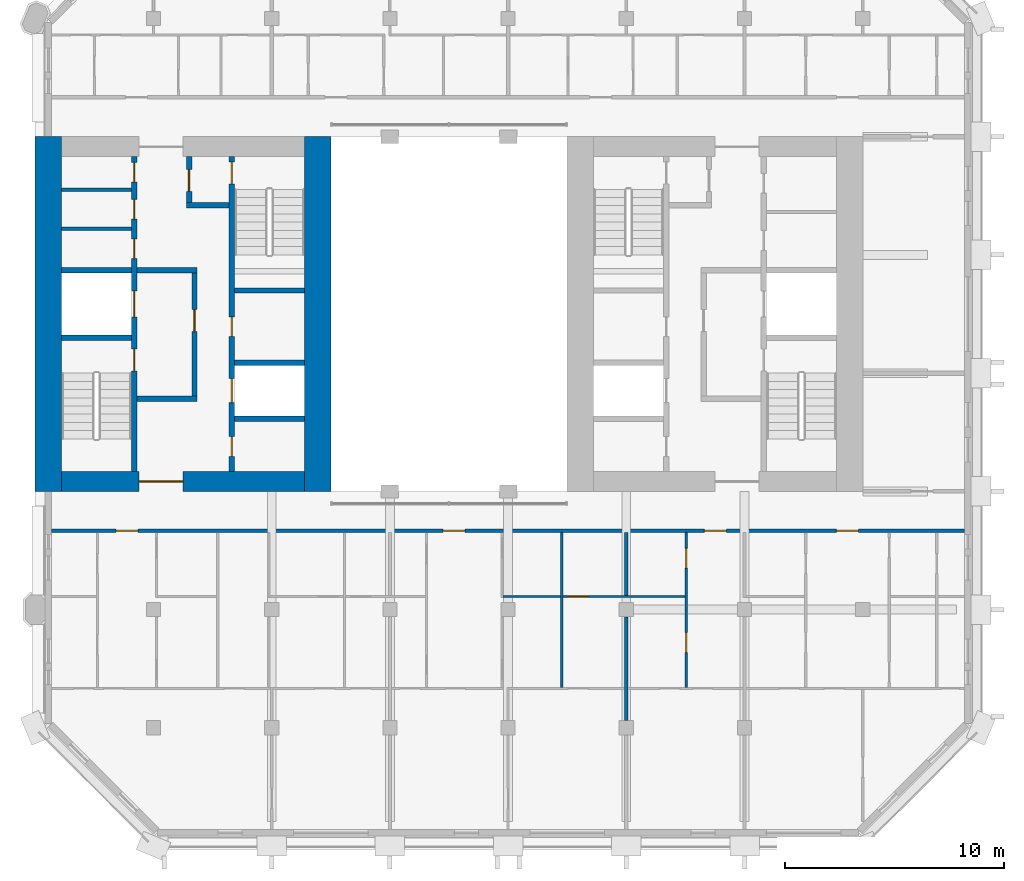
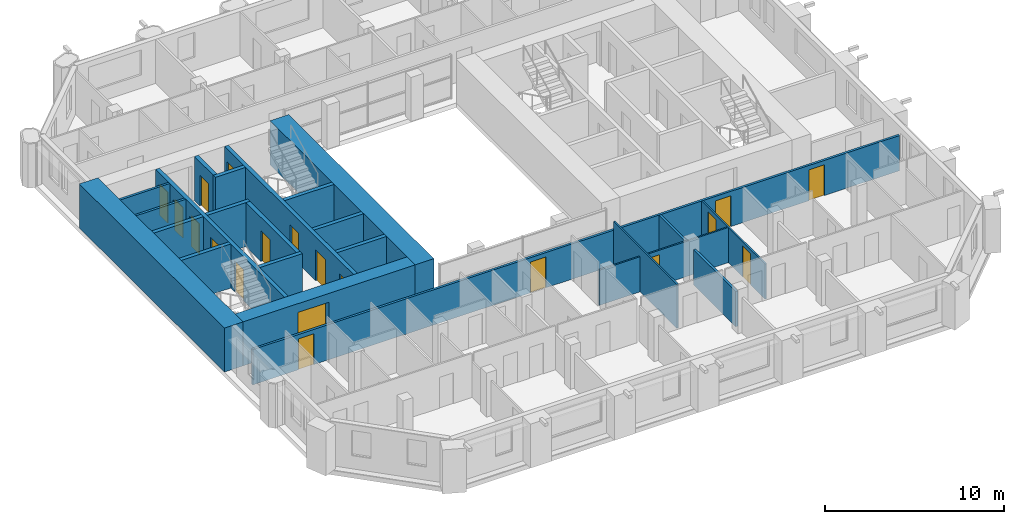
# One storey, part 7 of 14: 24 walls, 19 doors, 19 openings.
"""IFC4 building model written with IfcOpenShell, lengths in metres."""

import ifcopenshell
import ifcopenshell.guid

model = None  # the IFC model being written
_history = None  # IfcOwnerHistory: only IFC2X3 demands one
_inside = {}  # id of a spatial element -> (the spatial element, [elements in it])
_under = {}  # id of a project, library or spatial element -> (it, [spatial elements below it])
_declared = {}  # id of a project -> (the project, [libraries it declares])
_typed = {}  # id of a type object -> (the type object, [elements of that type])
_made_of = {}  # id of a material, layer set ... -> (it, [elements and type objects made of it])


def new_model(schema):
    """Start an empty IFC model of exactly this schema.

    Asked for "IFC4X3", IfcOpenShell would pick the latest addendum, in which some entities
    have other attributes; the version numbers below select the first issue.
    IFC2X3 requires an IfcOwnerHistory on every rooted entity: one is made here for all.
    """
    global model, _history
    if schema == "IFC4X3":
        model = ifcopenshell.file(schema_version=(4, 3, 0, 0))
    else:
        model = ifcopenshell.file(schema=schema)
    _inside.clear()
    _under.clear()
    _declared.clear()
    _typed.clear()
    _made_of.clear()
    _history = None
    if model.schema == "IFC2X3":
        org = make("IfcOrganization", Name="unknown")
        user = make(
            "IfcPersonAndOrganization",
            ThePerson=make("IfcPerson", FamilyName="unknown"),
            TheOrganization=org,
        )
        app = make(
            "IfcApplication",
            ApplicationDeveloper=org,
            Version="unknown",
            ApplicationFullName="unknown",
            ApplicationIdentifier="unknown",
        )
        _history = make(
            "IfcOwnerHistory",
            OwningUser=user,
            OwningApplication=app,
            ChangeAction="ADDED",
            CreationDate=0,
        )
    return model


def make(cls, **values):
    """One entity of the class cls with the attributes given. An attribute that is None is left unset."""
    return model.create_entity(
        cls, **{name: value for name, value in values.items() if value is not None}
    )


def rooted(cls, **values):
    """An entity with a GlobalId (a new one), such as an element, a storey or a relation."""
    return make(cls, GlobalId=ifcopenshell.guid.new(), OwnerHistory=_history, **values)


def si_unit(unit_type, name, prefix=None):
    """IfcSIUnit, for example si_unit("LENGTHUNIT", "METRE", prefix="MILLI")."""
    return make("IfcSIUnit", UnitType=unit_type, Prefix=prefix, Name=name)


def assignment(units):
    """IfcUnitAssignment: the units of a project."""
    return None if units is None else make("IfcUnitAssignment", Units=units)


def point(xyz):
    """IfcCartesianPoint."""
    return None if xyz is None else make("IfcCartesianPoint", Coordinates=xyz)


def direction(xyz):
    """IfcDirection."""
    return None if xyz is None else make("IfcDirection", DirectionRatios=xyz)


def frame(location, z_axis=None, x_axis=None):
    """IfcAxis2Placement3D, a coordinate frame: its origin and axes. An axis left out is left unset."""
    return make(
        "IfcAxis2Placement3D",
        Location=point(location),
        Axis=direction(z_axis),
        RefDirection=direction(x_axis),
    )


def frame_2d(location, x_axis=None):
    """IfcAxis2Placement2D, a coordinate frame in the plane: its origin and x axis."""
    return make(
        "IfcAxis2Placement2D", Location=point(location), RefDirection=direction(x_axis)
    )


def origin():
    """The frame at (0, 0, 0) with its axes left unset."""
    return frame((0.0, 0.0, 0.0))


def place(relative_to, where):
    """IfcLocalPlacement: puts the frame where relative to a parent placement (None: the world)."""
    return make(
        "IfcLocalPlacement", PlacementRelTo=relative_to, RelativePlacement=where
    )


def context(
    kind, dimensions, precision=None, world=None, true_north=None, identifier=None
):
    """IfcGeometricRepresentationContext, for example the 3D "Model" context."""
    return make(
        "IfcGeometricRepresentationContext",
        ContextIdentifier=identifier,
        ContextType=kind,
        CoordinateSpaceDimension=dimensions,
        Precision=precision,
        WorldCoordinateSystem=world,
        TrueNorth=true_north,
    )


def subcontext(parent, identifier, kind, view, scale=None):
    """IfcGeometricRepresentationSubContext, for example "Body" below "Model"."""
    return make(
        "IfcGeometricRepresentationSubContext",
        ContextIdentifier=identifier,
        ContextType=kind,
        ParentContext=parent,
        TargetScale=scale,
        TargetView=view,
    )


def project(units=None, contexts=None):
    """IfcProject with its units and contexts."""
    return rooted(
        "IfcProject",
        Name="project",
        RepresentationContexts=contexts,
        UnitsInContext=assignment(units),
    )


def spatial(cls, under=None, at=None, **own):
    """A site, building, storey or space (cls), placed at a placement, below another one or the project."""
    s = rooted(cls, ObjectPlacement=at, **own)
    if under is not None:
        _under.setdefault(under.id(), (under, []))[1].append(s)
    return s


def profile(cls, at=None, kind="AREA", **sizes):
    """A parametric profile (cls). Its sizes go by their IFC names, for example OverallWidth=200.0."""
    return make(cls, ProfileType=kind, Position=at, **sizes)


def rectangle(**sizes):
    """IfcRectangleProfileDef."""
    return profile("IfcRectangleProfileDef", **sizes)


def extrude(swept, where, along, depth):
    """IfcExtrudedAreaSolid: the profile swept, set in the frame where, extruded along a direction by depth."""
    return make(
        "IfcExtrudedAreaSolid",
        SweptArea=swept,
        Position=where,
        ExtrudedDirection=direction(along),
        Depth=depth,
    )


def shape(context_of_items, identifier, shape_type, items):
    """IfcShapeRepresentation: the items that make up one representation, for example the "Body"."""
    return make(
        "IfcShapeRepresentation",
        ContextOfItems=context_of_items,
        RepresentationIdentifier=identifier,
        RepresentationType=shape_type,
        Items=items,
    )


def material(Name=None, Category=None):
    """IfcMaterial."""
    return make("IfcMaterial", Name=Name, Category=Category)


def layer(
    of_material, thickness, ventilated=None, Name=None, Category=None, Priority=None
):
    """IfcMaterialLayer: one layer of a wall or slab, of a material (None: an air gap)."""
    return make(
        "IfcMaterialLayer",
        Material=of_material,
        LayerThickness=thickness,
        IsVentilated=ventilated,
        Name=Name,
        Category=Category,
        Priority=Priority,
    )


def layer_set(layers, Name=None):
    """IfcMaterialLayerSet."""
    return make("IfcMaterialLayerSet", MaterialLayers=layers, LayerSetName=Name)


def made_of(thing, what):
    """Note that an element or type object is made of a material, layer set ...; save() writes the relation."""
    if what is not None:
        _made_of.setdefault(what.id(), (what, []))[1].append(thing)
    return thing


def type_object(cls, material=None, **own):
    """A type object (cls), such as IfcWallType, which elements share."""
    return made_of(rooted(cls, **own), material)


def element(
    cls,
    number,
    at=None,
    inside=None,
    cuts=None,
    type_object=None,
    material=None,
    context=None,
    identifier="Body",
    shape_type=None,
    held_by="IfcProductDefinitionShape",
    body=None,
    shapes=None,
    **own,
):
    """One element of the class cls, such as IfcWall. Its Tag is "e" and its number.

    at: its placement. inside: the storey or other place that contains it. cuts: it is an
    opening in that element (IfcRelVoidsElement). A single representation is given by context,
    identifier, shape_type and body (its items); several are given by shapes. held_by: the class
    of the entity that holds the representations. save() writes the other relations.
    """
    e = rooted(cls, Tag="e%d" % number, ObjectPlacement=at, **own)
    if body is not None:
        shapes = [shape(context, identifier, shape_type, body)]
    if shapes is not None:
        e.Representation = make(held_by, Representations=shapes)
    if inside is not None:
        _inside.setdefault(inside.id(), (inside, []))[1].append(e)
    if cuts is not None:
        rooted(
            "IfcRelVoidsElement", RelatingBuildingElement=cuts, RelatedOpeningElement=e
        )
    if type_object is not None:
        _typed.setdefault(type_object.id(), (type_object, []))[1].append(e)
    return made_of(e, material)


def fill(opening, filler):
    """IfcRelFillsElement: the door or window that sits in an opening."""
    return rooted(
        "IfcRelFillsElement",
        RelatingOpeningElement=opening,
        RelatedBuildingElement=filler,
    )


def aggregate(whole, parts):
    """IfcRelAggregates: a whole, such as a stair, and the parts it consists of."""
    return rooted("IfcRelAggregates", RelatingObject=whole, RelatedObjects=parts)


def save(model, path):
    """Write the relations noted so far, then the file.

    IfcRelAggregates (storeys below a building ...), IfcRelContainedInSpatialStructure (elements
    in a storey), IfcRelDefinesByType, IfcRelAssociatesMaterial and IfcRelDeclares: one each for
    every whole, place, type object, material and project.
    """
    for whole, parts in _under.values():
        aggregate(whole, parts)
    for where, things in _inside.values():
        rooted(
            "IfcRelContainedInSpatialStructure",
            RelatedElements=things,
            RelatingStructure=where,
        )
    for kind, things in _typed.values():
        rooted("IfcRelDefinesByType", RelatedObjects=things, RelatingType=kind)
    for what, things in _made_of.values():
        rooted("IfcRelAssociatesMaterial", RelatedObjects=things, RelatingMaterial=what)
    for by, libraries in _declared.values():
        rooted("IfcRelDeclares", RelatingContext=by, RelatedDefinitions=libraries)
    model.write(path)


model = new_model("IFC4")

# Units and contexts
model_context = context("Model", 3, precision=1e-05, world=origin(), true_north=direction((0.0, 1.0)))
body_context = subcontext(model_context, "Body", "Model", "MODEL_VIEW")
ifc_project = project(units=[si_unit("LENGTHUNIT", "METRE"), si_unit("AREAUNIT", "SQUARE_METRE"), si_unit("VOLUMEUNIT", "CUBIC_METRE"), si_unit("PLANEANGLEUNIT", "RADIAN"), si_unit("MASSUNIT", "GRAM", prefix="KILO")], contexts=[model_context])

# Site, building, storey
site_placement = place(None, origin())
site = spatial("IfcSite", under=ifc_project, at=site_placement, CompositionType="ELEMENT")
building_placement = place(site_placement, origin())
building = spatial("IfcBuilding", under=site, at=building_placement, Name="Tabaq Tower and Sports Hall", CompositionType="ELEMENT")
storey_placement = place(building_placement, frame((0.0, 0.0, 275.199951171875)))
storey = spatial("IfcBuildingStorey", under=building, at=storey_placement, Name="L67", CompositionType="ELEMENT", Elevation=275.199951171875)

# Walls
ifc_material_1 = material(Name="Blockwork", Category="masonry")
ifc_layer_1 = layer(ifc_material_1, 0.14990234375)
ifc_layer_set_1 = layer_set([ifc_layer_1], Name="Core room partition 150 Blockwork")
wall_type_1 = type_object("IfcWallType", Name="Core room partition 150 Blockwork", PredefinedType="PARTITIONING", material=ifc_layer_set_1)
for number, where, z_axis, x_axis, name in (
    (1, (6.60009765625, 28.200927734375, 0.0), (0.0, 0.0, 1.0), (1.0, 0.0, 0.0), "Core room partition W L67"),
    (2, (6.60009765625, 29.97705078125, 0.0), (0.0, 0.0, 1.0), (1.0, 0.0, 0.0), "Core room partition W L67"),
):
    element("IfcWall", number, at=place(storey_placement, frame(where, z_axis=z_axis, x_axis=x_axis)), inside=storey, type_object=wall_type_1, Name=name, PredefinedType="PARTITIONING", context=body_context, shape_type="SweptSolid", body=[
        extrude(rectangle(XDim=3.199951171875, YDim=0.14990234375, at=frame_2d((1.60009765625, 0.0))), origin(), (0.0, 0.0, 1.0), 3.0),
    ])
ifc_material_2 = material(Name="Concrete C40/50", Category="concrete")
ifc_layer_2 = layer(ifc_material_2, 1.199951171875)
ifc_layer_set_2 = layer_set([ifc_layer_2], Name="Core wall 1200 Concrete C40/50")
wall_type_2 = type_object("IfcWallType", Name="Core wall 1200 Concrete C40/50", PredefinedType="SOLIDWALL", material=ifc_layer_set_2)
for number, where, z_axis, x_axis, name in (
    (3, (6.0, 16.199951171875, 0.0), (0.0, 0.0, 1.0), (0.0, 1.0, 0.0), "Core wall W L67"),
    (4, (18.300048828125, 32.39990234375, 0.0), (0.0, 0.0, 1.0), (0.0, -1.0, 0.0), "Core wall W L67"),
):
    element("IfcWall", number, at=place(storey_placement, frame(where, z_axis=z_axis, x_axis=x_axis)), inside=storey, type_object=wall_type_2, Name=name, PredefinedType="SOLIDWALL", context=body_context, shape_type="SweptSolid", body=[
        extrude(rectangle(XDim=16.199951171875, YDim=1.199951171875, at=frame_2d((8.10009765625, 0.0))), origin(), (0.0, 0.0, 1.0), 3.0),
    ])

# Wall, opening, door
ifc_material_3 = material(Name="Concrete C40/50", Category="concrete")
ifc_layer_3 = layer(ifc_material_3, 0.89990234375)
ifc_layer_set_3 = layer_set([ifc_layer_3], Name="Core wall 900 Concrete C40/50")
wall_type_3 = type_object("IfcWallType", Name="Core wall 900 Concrete C40/50", PredefinedType="SOLIDWALL", material=ifc_layer_set_3)
wall_1_placement = place(storey_placement, frame((17.699951171875, 16.64990234375, 0.0), z_axis=(0.0, 0.0, 1.0), x_axis=(-1.0, 0.0, 0.0)))
wall_1 = element("IfcWall", 5, at=wall_1_placement, inside=storey, type_object=wall_type_3, Name="Core wall W L67", PredefinedType="SOLIDWALL", context=body_context, shape_type="SweptSolid", body=[
    extrude(rectangle(XDim=11.099853515625, YDim=0.89990234375, at=frame_2d((5.5498046875, 0.0))), origin(), (0.0, 0.0, 1.0), 3.0),
])
opening_1_placement = place(wall_1_placement, frame((5.550048828125, 0.0, 0.0)))
opening_1 = element("IfcOpeningElement", 6, at=opening_1_placement, cuts=wall_1, Name="Opening PD-WL67-01", PredefinedType="OPENING", context=body_context, shape_type="SweptSolid", body=[
    extrude(rectangle(XDim=2.0, YDim=2.39990234375, at=frame_2d((1.0, 1.199951171875))), frame((0.0, 0.449951171875, 0.0), z_axis=(0.0, -1.0, 0.0), x_axis=(1.0, 0.0, 0.0)), (0.0, 0.0, 1.0), 0.89990234375),
])
ifc_material_4 = material(Name="Steel fire door", Category="steel")
door_type_1 = type_object("IfcDoorType", Name="Core entrance door 2000", OperationType="DOUBLE_DOOR_SINGLE_SWING", PredefinedType="DOOR", material=ifc_material_4)
door_1_placement = place(opening_1_placement, origin())
door_1 = element("IfcDoor", 7, at=door_1_placement, inside=storey, type_object=door_type_1, Name="Core entrance south W L67", OperationType="DOUBLE_DOOR_SINGLE_SWING", OverallHeight=2.39990234375, OverallWidth=2.0, PredefinedType="DOOR", context=body_context, shape_type="SweptSolid", body=[
    extrude(rectangle(XDim=2.0, YDim=2.39990234375, at=frame_2d((1.0, 1.199951171875))), frame((0.0, 0.02490234375, 0.0), z_axis=(0.0, -1.0, 0.0), x_axis=(1.0, 0.0, 0.0)), (0.0, 0.0, 1.0), 0.050048828125),
])
fill(opening_1, door_1)

# Walls
ifc_material_5 = material(Name="Gypsum board on steel studs", Category="steel")
ifc_layer_4 = layer(ifc_material_5, 0.10009765625)
ifc_layer_set_4 = layer_set([ifc_layer_4], Name="Partition 100 Gypsum board")
wall_type_4 = type_object("IfcWallType", Name="Partition 100 Gypsum board", PredefinedType="PARTITIONING", material=ifc_layer_set_4)
wall_2_placement = place(storey_placement, frame((29.39990234375, 11.39990234375, 0.0), z_axis=(0.0, 0.0, 1.0), x_axis=(-1.0, 0.0, 0.0)))
element("IfcWall", 8, at=wall_2_placement, inside=storey, type_object=wall_type_4, Name="Partition wall L67", PredefinedType="PARTITIONING", context=body_context, shape_type="SweptSolid", body=[
    extrude(rectangle(XDim=2.6279296875, YDim=0.10009765625, at=frame_2d((1.31396484375, 0.0))), origin(), (0.0, 0.0, 1.0), 2.400146484375),
])
wall_3_placement = place(storey_placement, frame((29.449951171875, 7.25, 0.0), z_axis=(0.0, 0.0, 1.0), x_axis=(0.0, 1.0, 0.0)))
element("IfcWall", 9, at=wall_3_placement, inside=storey, type_object=wall_type_4, Name="Partition wall L67", PredefinedType="PARTITIONING", context=body_context, shape_type="SweptSolid", body=[
    extrude(rectangle(XDim=7.074951171875, YDim=0.10009765625, at=frame_2d((3.53759765625, 0.0))), origin(), (0.0, 0.0, 1.0), 3.0),
])

# Wall, opening, door
wall_4_placement = place(storey_placement, frame((35.0849609375, 11.39990234375, 0.0), z_axis=(0.0, 0.0, 1.0), x_axis=(-1.0, 0.0, 0.0)))
wall_4 = element("IfcWall", 10, at=wall_4_placement, inside=storey, type_object=wall_type_4, Name="Partition wall L67", PredefinedType="PARTITIONING", context=body_context, shape_type="SweptSolid", body=[
    extrude(rectangle(XDim=5.5849609375, YDim=0.10009765625, at=frame_2d((2.79248046875, 0.0))), origin(), (0.0, 0.0, 1.0), 2.400146484375),
])
opening_2_placement = place(wall_4_placement, frame((4.43505859375, 0.0, 0.0)))
opening_2 = element("IfcOpeningElement", 11, at=opening_2_placement, cuts=wall_4, Name="Opening L67-018", PredefinedType="OPENING", context=body_context, shape_type="SweptSolid", body=[
    extrude(rectangle(XDim=0.89990234375, YDim=2.10009765625, at=frame_2d((0.449951171875, 1.050048828125))), frame((0.0, 0.050048828125, 0.0), z_axis=(0.0, -1.0, 0.0), x_axis=(1.0, 0.0, 0.0)), (0.0, 0.0, 1.0), 0.10009765625),
])
ifc_material_6 = material(Name="Timber leaf in steel frame", Category="steel")
door_type_2 = type_object("IfcDoorType", Name="Internal door 900 right hand", OperationType="SINGLE_SWING_RIGHT", PredefinedType="DOOR", material=ifc_material_6)
door_2_placement = place(opening_2_placement, origin())
door_2 = element("IfcDoor", 12, at=door_2_placement, inside=storey, type_object=door_type_2, Name="Internal door L67-018", OperationType="SINGLE_SWING_RIGHT", OverallHeight=2.10009765625, OverallWidth=0.89990234375, PredefinedType="DOOR", context=body_context, shape_type="SweptSolid", body=[
    extrude(rectangle(XDim=0.89990234375, YDim=2.10009765625, at=frame_2d((0.449951171875, 1.050048828125))), frame((0.0, 0.02490234375, 0.0), z_axis=(0.0, -1.0, 0.0), x_axis=(1.0, 0.0, 0.0)), (0.0, 0.0, 1.0), 0.050048828125),
])
fill(opening_2, door_2)

# Wall, openings, doors
wall_5_placement = place(storey_placement, frame((35.135009765625, 7.25, 0.0), z_axis=(0.0, 0.0, 1.0), x_axis=(0.0, 1.0, 0.0)))
wall_5 = element("IfcWall", 13, at=wall_5_placement, inside=storey, type_object=wall_type_4, Name="Partition wall L67", PredefinedType="PARTITIONING", context=body_context, shape_type="SweptSolid", body=[
    extrude(rectangle(XDim=7.074951171875, YDim=0.10009765625, at=frame_2d((3.53759765625, 0.0))), origin(), (0.0, 0.0, 1.0), 2.400146484375),
])
opening_3_placement = place(wall_5_placement, frame((5.449951171875, 0.0, 0.0)))
opening_3 = element("IfcOpeningElement", 14, at=opening_3_placement, cuts=wall_5, Name="Opening L67-019", PredefinedType="OPENING", context=body_context, shape_type="SweptSolid", body=[
    extrude(rectangle(XDim=0.89990234375, YDim=2.10009765625, at=frame_2d((0.449951171875, 1.050048828125))), frame((0.0, 0.050048828125, 0.0), z_axis=(0.0, -1.0, 0.0), x_axis=(1.0, 0.0, 0.0)), (0.0, 0.0, 1.0), 0.10009765625),
])
opening_4_placement = place(wall_5_placement, frame((1.60009765625, 0.0, 0.0)))
opening_4 = element("IfcOpeningElement", 15, at=opening_4_placement, cuts=wall_5, Name="Opening L67-046", PredefinedType="OPENING", context=body_context, shape_type="SweptSolid", body=[
    extrude(rectangle(XDim=0.89990234375, YDim=2.10009765625, at=frame_2d((0.449951171875, 1.050048828125))), frame((0.0, 0.050048828125, 0.0), z_axis=(0.0, -1.0, 0.0), x_axis=(1.0, 0.0, 0.0)), (0.0, 0.0, 1.0), 0.10009765625),
])
ifc_material_7 = material(Name="Timber leaf in steel frame", Category="steel")
door_type_3 = type_object("IfcDoorType", Name="Internal door 900 left hand", OperationType="SINGLE_SWING_LEFT", PredefinedType="DOOR", material=ifc_material_7)
door_3_placement = place(opening_4_placement, origin())
door_3 = element("IfcDoor", 16, at=door_3_placement, inside=storey, type_object=door_type_3, Name="Internal door L67-046", OperationType="SINGLE_SWING_LEFT", OverallHeight=2.10009765625, OverallWidth=0.89990234375, PredefinedType="DOOR", context=body_context, shape_type="SweptSolid", body=[
    extrude(rectangle(XDim=0.89990234375, YDim=2.10009765625, at=frame_2d((0.449951171875, 1.050048828125))), frame((0.0, 0.02490234375, 0.0), z_axis=(0.0, -1.0, 0.0), x_axis=(1.0, 0.0, 0.0)), (0.0, 0.0, 1.0), 0.050048828125),
])
fill(opening_4, door_3)
door_4_placement = place(opening_3_placement, origin())
door_4 = element("IfcDoor", 17, at=door_4_placement, inside=storey, type_object=door_type_2, Name="Internal door L67-019", OperationType="SINGLE_SWING_RIGHT", OverallHeight=2.10009765625, OverallWidth=0.89990234375, PredefinedType="DOOR", context=body_context, shape_type="SweptSolid", body=[
    extrude(rectangle(XDim=0.89990234375, YDim=2.10009765625, at=frame_2d((0.449951171875, 1.050048828125))), frame((0.0, 0.02490234375, 0.0), z_axis=(0.0, -1.0, 0.0), x_axis=(1.0, 0.0, 0.0)), (0.0, 0.0, 1.0), 0.050048828125),
])
fill(opening_3, door_4)

# Walls
ifc_material_8 = material(Name="Blockwork", Category="masonry")
ifc_layer_5 = layer(ifc_material_8, 0.14990234375)
ifc_layer_set_5 = layer_set([ifc_layer_5], Name="Separating wall 150 Blockwork")
wall_type_5 = type_object("IfcWallType", Name="Separating wall 150 Blockwork", PredefinedType="PARTITIONING", material=ifc_layer_set_5)
wall_6_placement = place(storey_placement, frame((32.39990234375, 5.7451171875, 0.0), z_axis=(0.0, 0.0, 1.0), x_axis=(0.0, 1.0, 0.0)))
element("IfcWall", 18, at=wall_6_placement, inside=storey, type_object=wall_type_5, Name="Separating wall L67", PredefinedType="PARTITIONING", context=body_context, shape_type="SweptSolid", body=[
    extrude(rectangle(XDim=4.7099609375, YDim=0.14990234375, at=frame_2d((2.35498046875, 0.0))), origin(), (0.0, 0.0, 1.0), 2.400146484375),
])
wall_7_placement = place(storey_placement, frame((32.39990234375, 11.449951171875, 0.0), z_axis=(0.0, 0.0, 1.0), x_axis=(0.0, 1.0, 0.0)))
element("IfcWall", 19, at=wall_7_placement, inside=storey, type_object=wall_type_5, Name="Separating wall L67", PredefinedType="PARTITIONING", context=body_context, shape_type="SweptSolid", body=[
    extrude(rectangle(XDim=2.875, YDim=0.14990234375, at=frame_2d((1.4375, 0.0))), origin(), (0.0, 0.0, 1.0), 2.400146484375),
])

# Wall, openings, doors
wall_8_placement = place(storey_placement, frame((47.84912109375, 14.39990234375, 0.0), z_axis=(0.0, 0.0, 1.0), x_axis=(-1.0, 0.0, 0.0)))
wall_8 = element("IfcWall", 20, at=wall_8_placement, inside=storey, type_object=wall_type_5, Name="Separating wall L67", PredefinedType="PARTITIONING", context=body_context, shape_type="SweptSolid", body=[
    extrude(rectangle(XDim=41.6982421875, YDim=0.14990234375, at=frame_2d((20.84912109375, 0.0))), origin(), (0.0, 0.0, 1.0), 2.400146484375),
])
opening_5_placement = place(wall_8_placement, frame((10.881103515625, 0.0, 0.0)))
opening_5 = element("IfcOpeningElement", 21, at=opening_5_placement, cuts=wall_8, Name="Opening L67-062", PredefinedType="OPENING", context=body_context, shape_type="SweptSolid", body=[
    extrude(rectangle(XDim=1.0, YDim=2.10009765625, at=frame_2d((0.5, 1.050048828125))), frame((0.0, 0.074951171875, 0.0), z_axis=(0.0, -1.0, 0.0), x_axis=(1.0, 0.0, 0.0)), (0.0, 0.0, 1.0), 0.14990234375),
])
opening_6_placement = place(wall_8_placement, frame((37.759033203125, 0.0, 0.0)))
opening_6 = element("IfcOpeningElement", 22, at=opening_6_placement, cuts=wall_8, Name="Opening L67-063", PredefinedType="OPENING", context=body_context, shape_type="SweptSolid", body=[
    extrude(rectangle(XDim=1.0, YDim=2.10009765625, at=frame_2d((0.5, 1.050048828125))), frame((0.0, 0.074951171875, 0.0), z_axis=(0.0, -1.0, 0.0), x_axis=(1.0, 0.0, 0.0)), (0.0, 0.0, 1.0), 0.14990234375),
])
opening_7_placement = place(wall_8_placement, frame((22.81494140625, 0.0, 0.0)))
opening_7 = element("IfcOpeningElement", 23, at=opening_7_placement, cuts=wall_8, Name="Opening L67-064", PredefinedType="OPENING", context=body_context, shape_type="SweptSolid", body=[
    extrude(rectangle(XDim=1.0, YDim=2.10009765625, at=frame_2d((0.5, 1.050048828125))), frame((0.0, 0.074951171875, 0.0), z_axis=(0.0, -1.0, 0.0), x_axis=(1.0, 0.0, 0.0)), (0.0, 0.0, 1.0), 0.14990234375),
])
opening_8_placement = place(wall_8_placement, frame((4.85009765625, 0.0, 0.0)))
opening_8 = element("IfcOpeningElement", 24, at=opening_8_placement, cuts=wall_8, Name="Opening L67-065", PredefinedType="OPENING", context=body_context, shape_type="SweptSolid", body=[
    extrude(rectangle(XDim=1.0, YDim=2.10009765625, at=frame_2d((0.5, 1.050048828125))), frame((0.0, 0.074951171875, 0.0), z_axis=(0.0, -1.0, 0.0), x_axis=(1.0, 0.0, 0.0)), (0.0, 0.0, 1.0), 0.14990234375),
])
ifc_material_9 = material(Name="Steel fire door", Category="steel")
door_type_4 = type_object("IfcDoorType", Name="Entrance door 1000 left hand", OperationType="SINGLE_SWING_LEFT", PredefinedType="DOOR", material=ifc_material_9)
door_5_placement = place(opening_6_placement, origin())
door_5 = element("IfcDoor", 25, at=door_5_placement, inside=storey, type_object=door_type_4, Name="Entrance door L67-063", OperationType="SINGLE_SWING_LEFT", OverallHeight=2.10009765625, OverallWidth=1.0, PredefinedType="DOOR", context=body_context, shape_type="SweptSolid", body=[
    extrude(rectangle(XDim=1.0, YDim=2.10009765625, at=frame_2d((0.5, 1.050048828125))), frame((0.0, 0.02490234375, 0.0), z_axis=(0.0, -1.0, 0.0), x_axis=(1.0, 0.0, 0.0)), (0.0, 0.0, 1.0), 0.050048828125),
])
fill(opening_6, door_5)
door_6_placement = place(opening_7_placement, origin())
door_6 = element("IfcDoor", 26, at=door_6_placement, inside=storey, type_object=door_type_4, Name="Entrance door L67-064", OperationType="SINGLE_SWING_LEFT", OverallHeight=2.10009765625, OverallWidth=1.0, PredefinedType="DOOR", context=body_context, shape_type="SweptSolid", body=[
    extrude(rectangle(XDim=1.0, YDim=2.10009765625, at=frame_2d((0.5, 1.050048828125))), frame((0.0, 0.02490234375, 0.0), z_axis=(0.0, -1.0, 0.0), x_axis=(1.0, 0.0, 0.0)), (0.0, 0.0, 1.0), 0.050048828125),
])
fill(opening_7, door_6)
ifc_material_10 = material(Name="Steel fire door", Category="steel")
door_type_5 = type_object("IfcDoorType", Name="Entrance door 1000 right hand", OperationType="SINGLE_SWING_RIGHT", PredefinedType="DOOR", material=ifc_material_10)
door_7_placement = place(opening_5_placement, origin())
door_7 = element("IfcDoor", 27, at=door_7_placement, inside=storey, type_object=door_type_5, Name="Entrance door L67-062", OperationType="SINGLE_SWING_RIGHT", OverallHeight=2.10009765625, OverallWidth=1.0, PredefinedType="DOOR", context=body_context, shape_type="SweptSolid", body=[
    extrude(rectangle(XDim=1.0, YDim=2.10009765625, at=frame_2d((0.5, 1.050048828125))), frame((0.0, 0.02490234375, 0.0), z_axis=(0.0, -1.0, 0.0), x_axis=(1.0, 0.0, 0.0)), (0.0, 0.0, 1.0), 0.050048828125),
])
fill(opening_5, door_7)
door_8_placement = place(opening_8_placement, origin())
door_8 = element("IfcDoor", 28, at=door_8_placement, inside=storey, type_object=door_type_5, Name="Entrance door L67-065", OperationType="SINGLE_SWING_RIGHT", OverallHeight=2.10009765625, OverallWidth=1.0, PredefinedType="DOOR", context=body_context, shape_type="SweptSolid", body=[
    extrude(rectangle(XDim=1.0, YDim=2.10009765625, at=frame_2d((0.5, 1.050048828125))), frame((0.0, 0.02490234375, 0.0), z_axis=(0.0, -1.0, 0.0), x_axis=(1.0, 0.0, 0.0)), (0.0, 0.0, 1.0), 0.050048828125),
])
fill(opening_8, door_8)

ifc_material_11 = material(Name="Concrete C40/50", Category="concrete")
ifc_layer_6 = layer(ifc_material_11, 0.25)
ifc_layer_set_6 = layer_set([ifc_layer_6], Name="Shaft and stair wall 250 Concrete C40/50")
wall_type_6 = type_object("IfcWallType", Name="Shaft and stair wall 250 Concrete C40/50", PredefinedType="SOLIDWALL", material=ifc_layer_set_6)
wall_9_placement = place(storey_placement, frame((9.925048828125, 17.10009765625, 0.0), z_axis=(0.0, 0.0, 1.0), x_axis=(0.0, 1.0, 0.0)))
wall_9 = element("IfcWall", 29, at=wall_9_placement, inside=storey, type_object=wall_type_6, Name="Shaft wall W L67", PredefinedType="SOLIDWALL", context=body_context, shape_type="SweptSolid", body=[
    extrude(rectangle(XDim=14.39990234375, YDim=0.25, at=frame_2d((7.199951171875, 0.0))), origin(), (0.0, 0.0, 1.0), 3.0),
])
opening_9_placement = place(wall_9_placement, frame((4.60009765625, 0.0, 0.0)))
opening_9 = element("IfcOpeningElement", 30, at=opening_9_placement, cuts=wall_9, Name="Opening SD-WL67-03", PredefinedType="OPENING", context=body_context, shape_type="SweptSolid", body=[
    extrude(rectangle(XDim=1.0, YDim=2.10009765625, at=frame_2d((0.5, 1.050048828125))), frame((0.0, 0.125, 0.0), z_axis=(0.0, -1.0, 0.0), x_axis=(1.0, 0.0, 0.0)), (0.0, 0.0, 1.0), 0.25),
])
opening_10_placement = place(wall_9_placement, frame((7.0625, 0.0, 0.0)))
opening_10 = element("IfcOpeningElement", 31, at=opening_10_placement, cuts=wall_9, Name="Opening LD-FF1-L67", PredefinedType="OPENING", context=body_context, shape_type="SweptSolid", body=[
    extrude(rectangle(XDim=1.199951171875, YDim=2.10009765625, at=frame_2d((0.60009765625, 1.050048828125))), frame((0.0, 0.125, 0.0), z_axis=(0.0, -1.0, 0.0), x_axis=(1.0, 0.0, 0.0)), (0.0, 0.0, 1.0), 0.25),
])
opening_11_placement = place(wall_9_placement, frame((9.7255859375, 0.0, 0.0)))
opening_11 = element("IfcOpeningElement", 32, at=opening_11_placement, cuts=wall_9, Name="Opening RD-WL67-09", PredefinedType="OPENING", context=body_context, shape_type="SweptSolid", body=[
    extrude(rectangle(XDim=0.89990234375, YDim=2.10009765625, at=frame_2d((0.449951171875, 1.050048828125))), frame((0.0, 0.125, 0.0), z_axis=(0.0, -1.0, 0.0), x_axis=(1.0, 0.0, 0.0)), (0.0, 0.0, 1.0), 0.25),
])
opening_12_placement = place(wall_9_placement, frame((11.5390625, 0.0, 0.0)))
opening_12 = element("IfcOpeningElement", 33, at=opening_12_placement, cuts=wall_9, Name="Opening RD-WL67-10", PredefinedType="OPENING", context=body_context, shape_type="SweptSolid", body=[
    extrude(rectangle(XDim=0.89990234375, YDim=2.10009765625, at=frame_2d((0.449951171875, 1.050048828125))), frame((0.0, 0.125, 0.0), z_axis=(0.0, -1.0, 0.0), x_axis=(1.0, 0.0, 0.0)), (0.0, 0.0, 1.0), 0.25),
])
opening_13_placement = place(wall_9_placement, frame((13.22607421875, 0.0, 0.0)))
opening_13 = element("IfcOpeningElement", 34, at=opening_13_placement, cuts=wall_9, Name="Opening RD-WL67-11", PredefinedType="OPENING", context=body_context, shape_type="SweptSolid", body=[
    extrude(rectangle(XDim=0.89990234375, YDim=2.10009765625, at=frame_2d((0.449951171875, 1.050048828125))), frame((0.0, 0.125, 0.0), z_axis=(0.0, -1.0, 0.0), x_axis=(1.0, 0.0, 0.0)), (0.0, 0.0, 1.0), 0.25),
])
ifc_material_12 = material(Name="Steel fire door", Category="steel")
door_type_6 = type_object("IfcDoorType", Name="Core room door 900", OperationType="SINGLE_SWING_LEFT", PredefinedType="DOOR", material=ifc_material_12)
door_9_placement = place(opening_11_placement, origin())
door_9 = element("IfcDoor", 35, at=door_9_placement, inside=storey, type_object=door_type_6, Name="Door Cleaner's Store W L67", OperationType="SINGLE_SWING_LEFT", OverallHeight=2.10009765625, OverallWidth=0.89990234375, PredefinedType="DOOR", context=body_context, shape_type="SweptSolid", body=[
    extrude(rectangle(XDim=0.89990234375, YDim=2.10009765625, at=frame_2d((0.449951171875, 1.050048828125))), frame((0.0, 0.02490234375, 0.0), z_axis=(0.0, -1.0, 0.0), x_axis=(1.0, 0.0, 0.0)), (0.0, 0.0, 1.0), 0.050048828125),
])
fill(opening_11, door_9)
door_10_placement = place(opening_12_placement, origin())
door_10 = element("IfcDoor", 36, at=door_10_placement, inside=storey, type_object=door_type_6, Name="Door Refuse Room W L67", OperationType="SINGLE_SWING_LEFT", OverallHeight=2.10009765625, OverallWidth=0.89990234375, PredefinedType="DOOR", context=body_context, shape_type="SweptSolid", body=[
    extrude(rectangle(XDim=0.89990234375, YDim=2.10009765625, at=frame_2d((0.449951171875, 1.050048828125))), frame((0.0, 0.02490234375, 0.0), z_axis=(0.0, -1.0, 0.0), x_axis=(1.0, 0.0, 0.0)), (0.0, 0.0, 1.0), 0.050048828125),
])
fill(opening_12, door_10)
door_11_placement = place(opening_13_placement, origin())
door_11 = element("IfcDoor", 37, at=door_11_placement, inside=storey, type_object=door_type_6, Name="Door Riser Room W L67", OperationType="SINGLE_SWING_LEFT", OverallHeight=2.10009765625, OverallWidth=0.89990234375, PredefinedType="DOOR", context=body_context, shape_type="SweptSolid", body=[
    extrude(rectangle(XDim=0.89990234375, YDim=2.10009765625, at=frame_2d((0.449951171875, 1.050048828125))), frame((0.0, 0.02490234375, 0.0), z_axis=(0.0, -1.0, 0.0), x_axis=(1.0, 0.0, 0.0)), (0.0, 0.0, 1.0), 0.050048828125),
])
fill(opening_13, door_11)
ifc_material_13 = material(Name="Stainless steel", Category="steel")
door_type_7 = type_object("IfcDoorType", Name="Lift landing door 1200", OperationType="DOUBLE_DOOR_SLIDING", PredefinedType="DOOR", material=ifc_material_13)
door_12_placement = place(opening_10_placement, origin())
door_12 = element("IfcDoor", 38, at=door_12_placement, inside=storey, type_object=door_type_7, Name="Lift landing door FF1 W L67", OperationType="DOUBLE_DOOR_SLIDING", OverallHeight=2.10009765625, OverallWidth=1.199951171875, PredefinedType="DOOR", context=body_context, shape_type="SweptSolid", body=[
    extrude(rectangle(XDim=1.199951171875, YDim=2.10009765625, at=frame_2d((0.60009765625, 1.050048828125))), frame((0.0, 0.02490234375, 0.0), z_axis=(0.0, -1.0, 0.0), x_axis=(1.0, 0.0, 0.0)), (0.0, 0.0, 1.0), 0.050048828125),
])
fill(opening_10, door_12)
ifc_material_14 = material(Name="Steel fire door", Category="steel")
door_type_8 = type_object("IfcDoorType", Name="Stair door 1000", OperationType="SINGLE_SWING_LEFT", PredefinedType="DOOR", material=ifc_material_14)
door_13_placement = place(opening_9_placement, origin())
door_13 = element("IfcDoor", 39, at=door_13_placement, inside=storey, type_object=door_type_8, Name="Stair door ST1 W L67", OperationType="SINGLE_SWING_LEFT", OverallHeight=2.10009765625, OverallWidth=1.0, PredefinedType="DOOR", context=body_context, shape_type="SweptSolid", body=[
    extrude(rectangle(XDim=1.0, YDim=2.10009765625, at=frame_2d((0.5, 1.050048828125))), frame((0.0, 0.02490234375, 0.0), z_axis=(0.0, -1.0, 0.0), x_axis=(1.0, 0.0, 0.0)), (0.0, 0.0, 1.0), 0.050048828125),
])
fill(opening_9, door_13)

wall_10_placement = place(storey_placement, frame((14.375, 17.10009765625, 0.0), z_axis=(0.0, 0.0, 1.0), x_axis=(0.0, 1.0, 0.0)))
wall_10 = element("IfcWall", 40, at=wall_10_placement, inside=storey, type_object=wall_type_6, Name="Shaft wall W L67", PredefinedType="SOLIDWALL", context=body_context, shape_type="SweptSolid", body=[
    extrude(rectangle(XDim=14.39990234375, YDim=0.25, at=frame_2d((7.199951171875, 0.0))), origin(), (0.0, 0.0, 1.0), 3.0),
])
opening_14_placement = place(wall_10_placement, frame((13.14990234375, 0.0, 0.0)))
opening_14 = element("IfcOpeningElement", 41, at=opening_14_placement, cuts=wall_10, Name="Opening SD-WL67-05", PredefinedType="OPENING", context=body_context, shape_type="SweptSolid", body=[
    extrude(rectangle(XDim=1.0, YDim=2.10009765625, at=frame_2d((0.5, 1.050048828125))), frame((0.0, 0.125, 0.0), z_axis=(0.0, -1.0, 0.0), x_axis=(1.0, 0.0, 0.0)), (0.0, 0.0, 1.0), 0.25),
])
opening_15_placement = place(wall_10_placement, frame((3.14990234375, 0.0, 0.0)))
opening_15 = element("IfcOpeningElement", 42, at=opening_15_placement, cuts=wall_10, Name="Opening LD-HR1-L67", PredefinedType="OPENING", context=body_context, shape_type="SweptSolid", body=[
    extrude(rectangle(XDim=1.10009765625, YDim=2.10009765625, at=frame_2d((0.550048828125, 1.050048828125))), frame((0.0, 0.125, 0.0), z_axis=(0.0, -1.0, 0.0), x_axis=(1.0, 0.0, 0.0)), (0.0, 0.0, 1.0), 0.25),
])
opening_16_placement = place(wall_10_placement, frame((0.699951171875, 0.0, 0.0)))
opening_16 = element("IfcOpeningElement", 43, at=opening_16_placement, cuts=wall_10, Name="Opening RD-WL67-12", PredefinedType="OPENING", context=body_context, shape_type="SweptSolid", body=[
    extrude(rectangle(XDim=0.89990234375, YDim=2.10009765625, at=frame_2d((0.449951171875, 1.050048828125))), frame((0.0, 0.125, 0.0), z_axis=(0.0, -1.0, 0.0), x_axis=(1.0, 0.0, 0.0)), (0.0, 0.0, 1.0), 0.25),
])
opening_17_placement = place(wall_10_placement, frame((6.175048828125, 0.0, 0.0)))
opening_17 = element("IfcOpeningElement", 44, at=opening_17_placement, cuts=wall_10, Name="Opening RD-WL67-13", PredefinedType="OPENING", context=body_context, shape_type="SweptSolid", body=[
    extrude(rectangle(XDim=0.89990234375, YDim=2.10009765625, at=frame_2d((0.449951171875, 1.050048828125))), frame((0.0, 0.125, 0.0), z_axis=(0.0, -1.0, 0.0), x_axis=(1.0, 0.0, 0.0)), (0.0, 0.0, 1.0), 0.25),
])
door_14_placement = place(opening_16_placement, origin())
door_14 = element("IfcDoor", 45, at=door_14_placement, inside=storey, type_object=door_type_6, Name="Door Electrical Riser Room W L67", OperationType="SINGLE_SWING_LEFT", OverallHeight=2.10009765625, OverallWidth=0.89990234375, PredefinedType="DOOR", context=body_context, shape_type="SweptSolid", body=[
    extrude(rectangle(XDim=0.89990234375, YDim=2.10009765625, at=frame_2d((0.449951171875, 1.050048828125))), frame((0.0, 0.02490234375, 0.0), z_axis=(0.0, -1.0, 0.0), x_axis=(1.0, 0.0, 0.0)), (0.0, 0.0, 1.0), 0.050048828125),
])
fill(opening_16, door_14)
door_15_placement = place(opening_17_placement, origin())
door_15 = element("IfcDoor", 46, at=door_15_placement, inside=storey, type_object=door_type_6, Name="Door Riser Room W L67", OperationType="SINGLE_SWING_LEFT", OverallHeight=2.10009765625, OverallWidth=0.89990234375, PredefinedType="DOOR", context=body_context, shape_type="SweptSolid", body=[
    extrude(rectangle(XDim=0.89990234375, YDim=2.10009765625, at=frame_2d((0.449951171875, 1.050048828125))), frame((0.0, 0.02490234375, 0.0), z_axis=(0.0, -1.0, 0.0), x_axis=(1.0, 0.0, 0.0)), (0.0, 0.0, 1.0), 0.050048828125),
])
fill(opening_17, door_15)
ifc_material_15 = material(Name="Stainless steel", Category="steel")
door_type_9 = type_object("IfcDoorType", Name="Lift landing door 1100", OperationType="DOUBLE_DOOR_SLIDING", PredefinedType="DOOR", material=ifc_material_15)
door_16_placement = place(opening_15_placement, origin())
door_16 = element("IfcDoor", 47, at=door_16_placement, inside=storey, type_object=door_type_9, Name="Lift landing door HR1 W L67", OperationType="DOUBLE_DOOR_SLIDING", OverallHeight=2.10009765625, OverallWidth=1.10009765625, PredefinedType="DOOR", context=body_context, shape_type="SweptSolid", body=[
    extrude(rectangle(XDim=1.10009765625, YDim=2.10009765625, at=frame_2d((0.550048828125, 1.050048828125))), frame((0.0, 0.02490234375, 0.0), z_axis=(0.0, -1.0, 0.0), x_axis=(1.0, 0.0, 0.0)), (0.0, 0.0, 1.0), 0.050048828125),
])
fill(opening_15, door_16)
door_17_placement = place(opening_14_placement, origin())
door_17 = element("IfcDoor", 48, at=door_17_placement, inside=storey, type_object=door_type_8, Name="Stair door ST2 W L67", OperationType="SINGLE_SWING_LEFT", OverallHeight=2.10009765625, OverallWidth=1.0, PredefinedType="DOOR", context=body_context, shape_type="SweptSolid", body=[
    extrude(rectangle(XDim=1.0, YDim=2.10009765625, at=frame_2d((0.5, 1.050048828125))), frame((0.0, 0.02490234375, 0.0), z_axis=(0.0, -1.0, 0.0), x_axis=(1.0, 0.0, 0.0)), (0.0, 0.0, 1.0), 0.050048828125),
])
fill(opening_14, door_17)

# Walls
for number, where, z_axis, x_axis, name in (
    (49, (6.60009765625, 23.22509765625, 0.0), (0.0, 0.0, 1.0), (1.0, 0.0, 0.0), "Stair enclosure wall W L67"),
    (50, (14.5, 25.375, 0.0), (0.0, 0.0, 1.0), (1.0, 0.0, 0.0), "Stair enclosure wall W L67"),
    (51, (14.5, 22.074951171875, 0.0), (0.0, 0.0, 1.0), (1.0, 0.0, 0.0), "Shaft wall W L67"),
    (52, (6.60009765625, 26.300048828125, 0.0), (0.0, 0.0, 1.0), (1.0, 0.0, 0.0), "Shaft wall W L67"),
):
    element("IfcWall", number, at=place(storey_placement, frame(where, z_axis=z_axis, x_axis=x_axis)), inside=storey, type_object=wall_type_6, Name=name, PredefinedType="SOLIDWALL", context=body_context, shape_type="SweptSolid", body=[
        extrude(rectangle(XDim=3.199951171875, YDim=0.25, at=frame_2d((1.60009765625, 0.0))), origin(), (0.0, 0.0, 1.0), 3.0),
    ])
for number, where, z_axis, x_axis, name in (
    (53, (10.050048828125, 26.300048828125, 0.0), (0.0, 0.0, 1.0), (1.0, 0.0, 0.0), "Fire-fighting lobby wall W L67"),
    (54, (10.050048828125, 20.425048828125, 0.0), (0.0, 0.0, 1.0), (1.0, 0.0, 0.0), "Fire-fighting lobby wall W L67"),
):
    element("IfcWall", number, at=place(storey_placement, frame(where, z_axis=z_axis, x_axis=x_axis)), inside=storey, type_object=wall_type_6, Name=name, PredefinedType="SOLIDWALL", context=body_context, shape_type="SweptSolid", body=[
        extrude(rectangle(XDim=2.75, YDim=0.25, at=frame_2d((1.375, 0.0))), origin(), (0.0, 0.0, 1.0), 3.0),
    ])

# Wall, opening, door
wall_11_placement = place(storey_placement, frame((12.425048828125, 29.39990234375, 0.0), z_axis=(0.0, 0.0, 1.0), x_axis=(0.0, 1.0, 0.0)))
wall_11 = element("IfcWall", 55, at=wall_11_placement, inside=storey, type_object=wall_type_6, Name="Fire-fighting lobby wall W L67", PredefinedType="SOLIDWALL", context=body_context, shape_type="SweptSolid", body=[
    extrude(rectangle(XDim=2.10009765625, YDim=0.25, at=frame_2d((1.050048828125, 0.0))), origin(), (0.0, 0.0, 1.0), 3.0),
])
opening_18_placement = place(wall_11_placement, frame((0.5, 0.0, 0.0)))
opening_18 = element("IfcOpeningElement", 56, at=opening_18_placement, cuts=wall_11, Name="Opening FD-WL67-06", PredefinedType="OPENING", context=body_context, shape_type="SweptSolid", body=[
    extrude(rectangle(XDim=1.0, YDim=2.10009765625, at=frame_2d((0.5, 1.050048828125))), frame((0.0, 0.125, 0.0), z_axis=(0.0, -1.0, 0.0), x_axis=(1.0, 0.0, 0.0)), (0.0, 0.0, 1.0), 0.25),
])
ifc_material_16 = material(Name="Steel fire door", Category="steel")
door_type_10 = type_object("IfcDoorType", Name="Fire-fighting lobby door 1000", OperationType="SINGLE_SWING_LEFT", PredefinedType="DOOR", material=ifc_material_16)
door_18_placement = place(opening_18_placement, origin())
door_18 = element("IfcDoor", 57, at=door_18_placement, inside=storey, type_object=door_type_10, Name="Stair lobby door W L67", OperationType="SINGLE_SWING_LEFT", OverallHeight=2.10009765625, OverallWidth=1.0, PredefinedType="DOOR", context=body_context, shape_type="SweptSolid", body=[
    extrude(rectangle(XDim=1.0, YDim=2.10009765625, at=frame_2d((0.5, 1.050048828125))), frame((0.0, 0.02490234375, 0.0), z_axis=(0.0, -1.0, 0.0), x_axis=(1.0, 0.0, 0.0)), (0.0, 0.0, 1.0), 0.050048828125),
])
fill(opening_18, door_18)

# Wall
wall_12_placement = place(storey_placement, frame((12.300048828125, 29.27490234375, 0.0), z_axis=(0.0, 0.0, 1.0), x_axis=(1.0, 0.0, 0.0)))
element("IfcWall", 58, at=wall_12_placement, inside=storey, type_object=wall_type_6, Name="Fire-fighting lobby wall W L67", PredefinedType="SOLIDWALL", context=body_context, shape_type="SweptSolid", body=[
    extrude(rectangle(XDim=1.949951171875, YDim=0.25, at=frame_2d((0.97509765625, 0.0))), origin(), (0.0, 0.0, 1.0), 3.0),
])

# Wall, opening, door
wall_13_placement = place(storey_placement, frame((12.675048828125, 20.550048828125, 0.0), z_axis=(0.0, 0.0, 1.0), x_axis=(0.0, 1.0, 0.0)))
wall_13 = element("IfcWall", 59, at=wall_13_placement, inside=storey, type_object=wall_type_6, Name="Fire-fighting lobby wall W L67", PredefinedType="SOLIDWALL", context=body_context, shape_type="SweptSolid", body=[
    extrude(rectangle(XDim=5.625, YDim=0.25, at=frame_2d((2.8125, 0.0))), origin(), (0.0, 0.0, 1.0), 3.0),
])
opening_19_placement = place(wall_13_placement, frame((2.949951171875, 0.0, 0.0)))
opening_19 = element("IfcOpeningElement", 60, at=opening_19_placement, cuts=wall_13, Name="Opening FD-WL67-04", PredefinedType="OPENING", context=body_context, shape_type="SweptSolid", body=[
    extrude(rectangle(XDim=1.0, YDim=2.10009765625, at=frame_2d((0.5, 1.050048828125))), frame((0.0, 0.125, 0.0), z_axis=(0.0, -1.0, 0.0), x_axis=(1.0, 0.0, 0.0)), (0.0, 0.0, 1.0), 0.25),
])
door_19_placement = place(opening_19_placement, origin())
door_19 = element("IfcDoor", 61, at=door_19_placement, inside=storey, type_object=door_type_10, Name="Fire-fighting lobby door W L67", OperationType="SINGLE_SWING_LEFT", OverallHeight=2.10009765625, OverallWidth=1.0, PredefinedType="DOOR", context=body_context, shape_type="SweptSolid", body=[
    extrude(rectangle(XDim=1.0, YDim=2.10009765625, at=frame_2d((0.5, 1.050048828125))), frame((0.0, 0.02490234375, 0.0), z_axis=(0.0, -1.0, 0.0), x_axis=(1.0, 0.0, 0.0)), (0.0, 0.0, 1.0), 0.050048828125),
])
fill(opening_19, door_19)

# Wall
wall_14_placement = place(storey_placement, frame((14.5, 19.52490234375, 0.0), z_axis=(0.0, 0.0, 1.0), x_axis=(1.0, 0.0, 0.0)))
element("IfcWall", 62, at=wall_14_placement, inside=storey, type_object=wall_type_6, Name="Shaft wall W L67", PredefinedType="SOLIDWALL", context=body_context, shape_type="SweptSolid", body=[
    extrude(rectangle(XDim=3.199951171875, YDim=0.25, at=frame_2d((1.60009765625, 0.0))), origin(), (0.0, 0.0, 1.0), 3.0),
])

save(model, "model.ifc")
